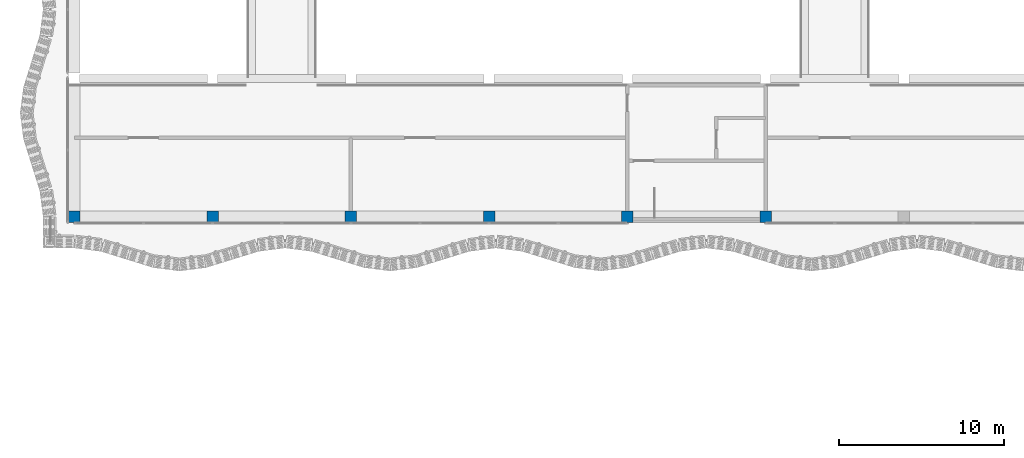
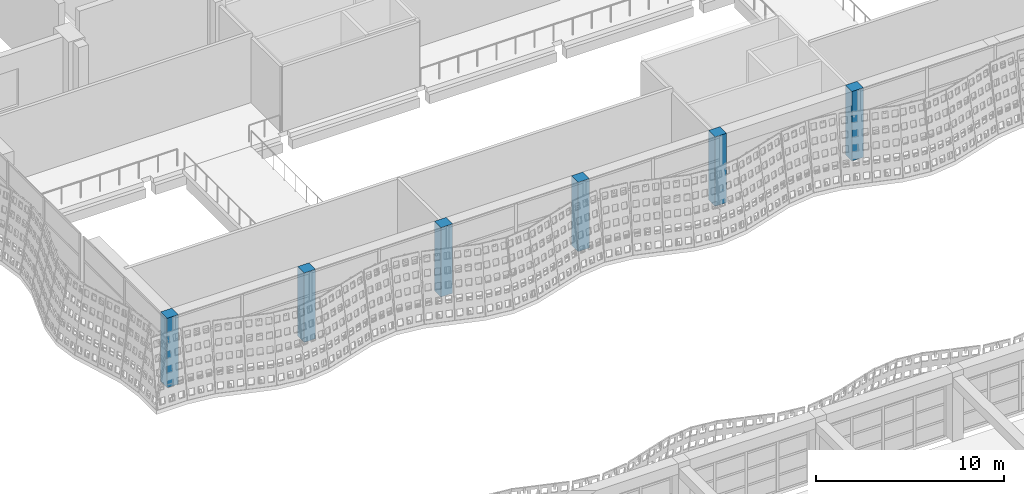
# One storey, part 4 of 162: 6 columns.
"""IFC4 building model written with IfcOpenShell, lengths in metres."""

from ifc_helpers import new_model, si_unit, direction, frame, origin, origin_2d, place, context, subcontext, project, spatial, rectangle, extrude, material, material_profile, profile_set, type_object, element, save


model = new_model("IFC4")

# Units and contexts
model_context = context("Model", 3, precision=1e-05, world=origin(), true_north=direction((0.0, 1.0)))
body_context = subcontext(model_context, "Body", "Model", "MODEL_VIEW")
ifc_project = project(units=[si_unit("LENGTHUNIT", "METRE"), si_unit("AREAUNIT", "SQUARE_METRE"), si_unit("VOLUMEUNIT", "CUBIC_METRE"), si_unit("PLANEANGLEUNIT", "RADIAN"), si_unit("MASSUNIT", "GRAM", prefix="KILO")], contexts=[model_context])

# Site, building, storey
site_placement = place(None, origin())
site = spatial("IfcSite", under=ifc_project, at=site_placement, CompositionType="ELEMENT")
building_placement = place(site_placement, origin())
building = spatial("IfcBuilding", under=site, at=building_placement, Name="Rain Tree Exposition and Congress Centre", CompositionType="ELEMENT")
storey_placement = place(building_placement, frame((0.0, 0.0, 6.0)))
storey = spatial("IfcBuildingStorey", under=building, at=storey_placement, Name="L01", CompositionType="ELEMENT", Elevation=6.0)

# Columns
ifc_material = material(Name="Precast concrete C50/60", Category="concrete")
ifc_material_profile = material_profile(ifc_material, rectangle(XDim=0.699951171875, YDim=0.699951171875, at=origin_2d()), Name="RC 700x700")
ifc_profile_set = profile_set([ifc_material_profile], Name="Precast concrete C50/60")
column_type = type_object("IfcColumnType", Name="Precast column 700x700", PredefinedType="COLUMN", material=ifc_profile_set)
for number, where, z_axis, x_axis, name in (
    (1, (0.0, 75.60009765625, 0.0), (0.0, 0.0, 1.0), (1.0, 0.0, 0.0), "Concourse column L01 A1"),
    (2, (8.39990234375, 75.60009765625, 0.0), (0.0, 0.0, 1.0), (1.0, 0.0, 0.0), "Concourse column L01 A2"),
    (3, (16.800048828125, 75.60009765625, 0.0), (0.0, 0.0, 1.0), (1.0, 0.0, 0.0), "Concourse column L01 A3"),
    (4, (25.199951171875, 75.60009765625, 0.0), (0.0, 0.0, 1.0), (1.0, 0.0, 0.0), "Concourse column L01 A4"),
    (5, (33.60009765625, 75.60009765625, 0.0), (0.0, 0.0, 1.0), (1.0, 0.0, 0.0), "Concourse column L01 A5"),
    (6, (42.0, 75.60009765625, 0.0), (0.0, 0.0, 1.0), (1.0, 0.0, 0.0), "Concourse column L01 A6"),
):
    element("IfcColumn", number, at=place(storey_placement, frame(where, z_axis=z_axis, x_axis=x_axis)), inside=storey, type_object=column_type, Name=name, PredefinedType="COLUMN", context=body_context, shape_type="SweptSolid", body=[
        extrude(rectangle(XDim=0.699951171875, YDim=0.699951171875, at=origin_2d()), origin(), (0.0, 0.0, 1.0), 4.5),
    ])

save(model, "model.ifc")
